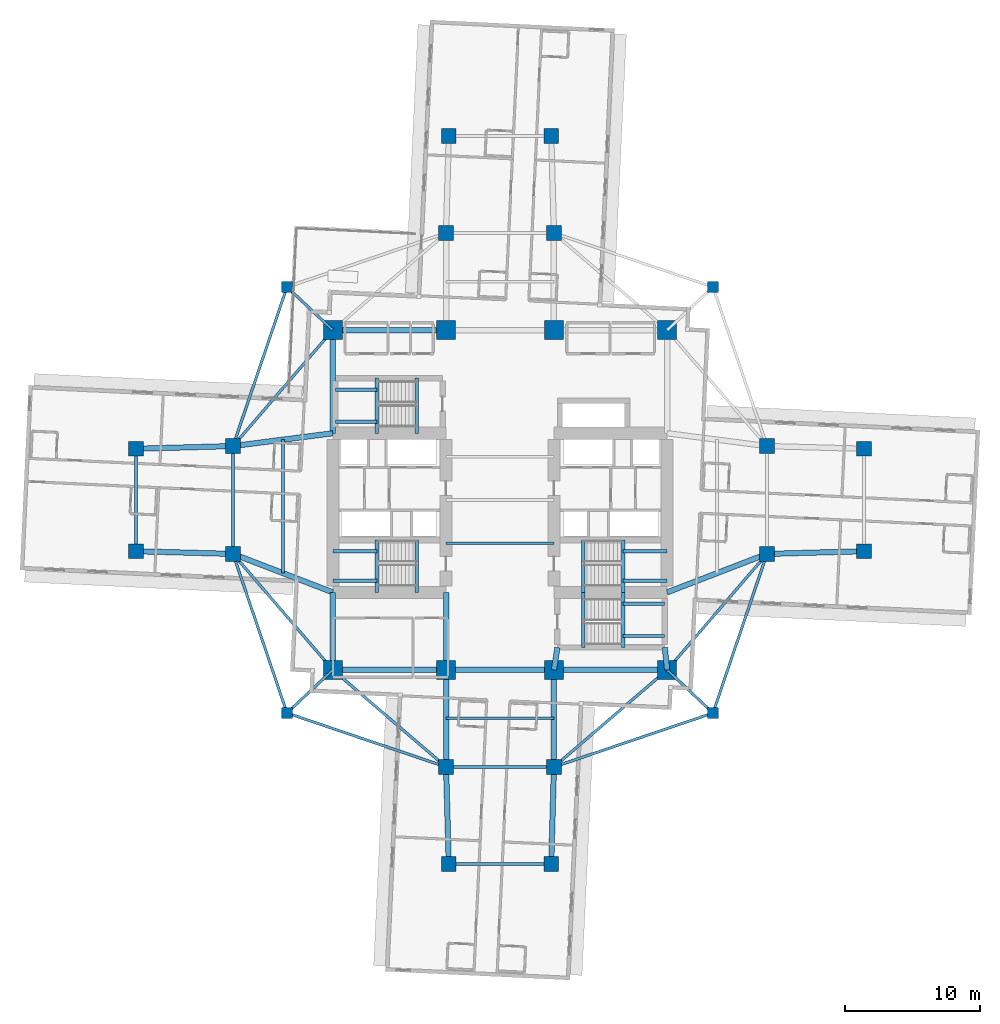
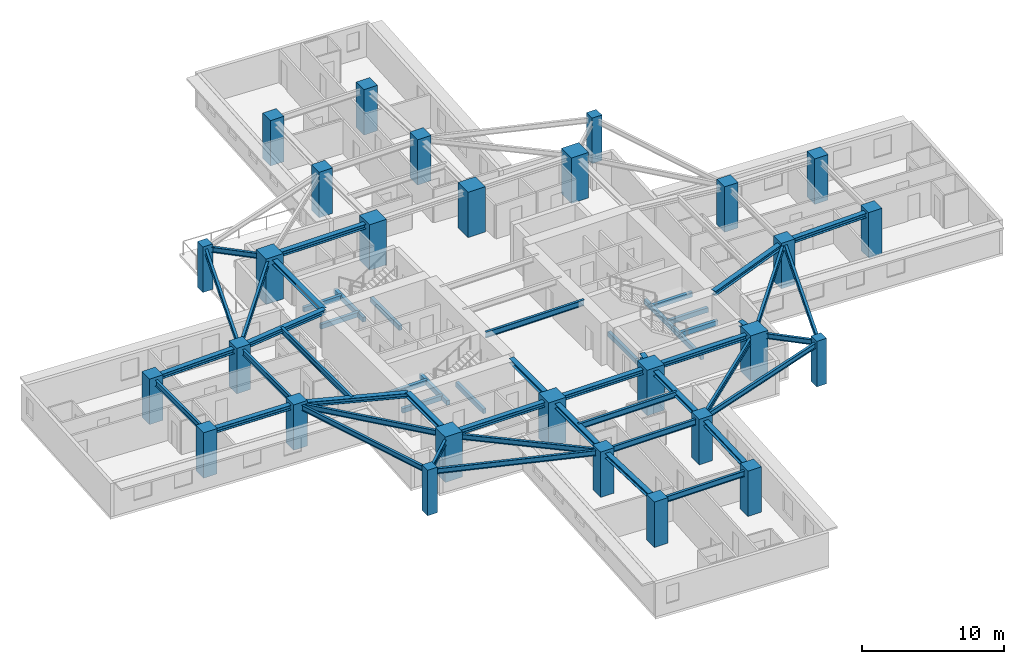
# One storey, part 1 of 13: 55 beams, 28 columns.
"""IFC4 building model written with IfcOpenShell, lengths in metres."""

from ifc_helpers import new_model, si_unit, direction, frame, origin, origin_2d, place, context, subcontext, project, spatial, rectangle, i_section, extrude, material, material_profile, profile_set, type_object, element, save


model = new_model("IFC4")

# Units and contexts
model_context = context("Model", 3, precision=1e-05, world=origin(), true_north=direction((0.0, 1.0)))
body_context = subcontext(model_context, "Body", "Model", "MODEL_VIEW")
ifc_project = project(units=[si_unit("LENGTHUNIT", "METRE"), si_unit("AREAUNIT", "SQUARE_METRE"), si_unit("VOLUMEUNIT", "CUBIC_METRE"), si_unit("PLANEANGLEUNIT", "RADIAN"), si_unit("MASSUNIT", "GRAM", prefix="KILO")], contexts=[model_context])

# Site, building, storey
site_placement = place(None, origin())
site = spatial("IfcSite", under=ifc_project, at=site_placement, CompositionType="ELEMENT")
building_placement = place(site_placement, origin())
building = spatial("IfcBuilding", under=site, at=building_placement, Name="Qingluan Cross Belvedere", CompositionType="ELEMENT")
storey_placement = place(building_placement, frame((0.0, 0.0, 91.199951171875)))
storey = spatial("IfcBuildingStorey", under=building, at=storey_placement, Name="L23", CompositionType="ELEMENT", Elevation=91.199951171875)

# Columns
ifc_material_1 = material(Name="Concrete C60", Category="concrete")
ifc_material_profile_1 = material_profile(ifc_material_1, rectangle(XDim=1.10009765625, YDim=1.10009765625, at=origin_2d()), Name="RC1100x1100")
ifc_profile_set_1 = profile_set([ifc_material_profile_1], Name="Concrete C60")
column_type_1 = type_object("IfcColumnType", Name="Column_RC1100x1100", PredefinedType="COLUMN", material=ifc_profile_set_1)
for number, where, z_axis, x_axis, name in (
    (1, (19.800048828125, -4.0, 0.0), (0.0, 0.0, 1.0), (1.0, 0.0, 0.0), "Arm column L23-EIA"),
    (2, (19.800048828125, 4.0, 0.0), (0.0, 0.0, 1.0), (1.0, 0.0, 0.0), "Arm column L23-EIB"),
    (3, (-19.800048828125, -4.0, 0.0), (0.0, 0.0, 1.0), (1.0, 0.0, 0.0), "Arm column L23-WIA"),
    (4, (-19.800048828125, 4.0, 0.0), (0.0, 0.0, 1.0), (1.0, 0.0, 0.0), "Arm column L23-WIB"),
    (5, (-4.0, -19.800048828125, 0.0), (0.0, 0.0, 1.0), (1.0, 0.0, 0.0), "Arm column L23-SIA"),
    (6, (4.0, -19.800048828125, 0.0), (0.0, 0.0, 1.0), (1.0, 0.0, 0.0), "Arm column L23-SIB"),
    (7, (-4.0, 19.800048828125, 0.0), (0.0, 0.0, 1.0), (1.0, 0.0, 0.0), "Arm column L23-NIA"),
    (8, (4.0, 19.800048828125, 0.0), (0.0, 0.0, 1.0), (1.0, 0.0, 0.0), "Arm column L23-NIB"),
    (9, (27.0, -3.800048828125, 0.0), (0.0, 0.0, 1.0), (1.0, 0.0, 0.0), "Arm column L23-EOA"),
    (10, (27.0, 3.800048828125, 0.0), (0.0, 0.0, 1.0), (1.0, 0.0, 0.0), "Arm column L23-EOB"),
    (11, (-27.0, -3.800048828125, 0.0), (0.0, 0.0, 1.0), (1.0, 0.0, 0.0), "Arm column L23-WOA"),
    (12, (-27.0, 3.800048828125, 0.0), (0.0, 0.0, 1.0), (1.0, 0.0, 0.0), "Arm column L23-WOB"),
    (13, (-3.800048828125, -27.0, 0.0), (0.0, 0.0, 1.0), (1.0, 0.0, 0.0), "Arm column L23-SOA"),
    (14, (3.800048828125, -27.0, 0.0), (0.0, 0.0, 1.0), (1.0, 0.0, 0.0), "Arm column L23-SOB"),
    (15, (-3.800048828125, 27.0, 0.0), (0.0, 0.0, 1.0), (1.0, 0.0, 0.0), "Arm column L23-NOA"),
    (16, (3.800048828125, 27.0, 0.0), (0.0, 0.0, 1.0), (1.0, 0.0, 0.0), "Arm column L23-NOB"),
):
    element("IfcColumn", number, at=place(storey_placement, frame(where, z_axis=z_axis, x_axis=x_axis)), inside=storey, type_object=column_type_1, Name=name, PredefinedType="COLUMN", context=body_context, shape_type="SweptSolid", body=[
        extrude(rectangle(XDim=1.10009765625, YDim=1.10009765625, at=origin_2d()), origin(), (0.0, 0.0, 1.0), 3.900146484375),
    ])
ifc_material_2 = material(Name="Concrete C70", Category="concrete")
ifc_material_profile_2 = material_profile(ifc_material_2, rectangle(XDim=1.39990234375, YDim=1.39990234375, at=origin_2d()), Name="RC1400x1400")
ifc_profile_set_2 = profile_set([ifc_material_profile_2], Name="Concrete C70")
column_type_2 = type_object("IfcColumnType", Name="Column_RC1400x1400", PredefinedType="COLUMN", material=ifc_profile_set_2)
for number, where, z_axis, x_axis, name in (
    (17, (-12.39990234375, -12.60009765625, 0.0), (0.0, 0.0, 1.0), (1.0, 0.0, 0.0), "Hub column L23-HC1"),
    (18, (12.39990234375, -12.60009765625, 0.0), (0.0, 0.0, 1.0), (1.0, 0.0, 0.0), "Hub column L23-HC2"),
    (19, (12.39990234375, 12.60009765625, 0.0), (0.0, 0.0, 1.0), (1.0, 0.0, 0.0), "Hub column L23-HC3"),
    (20, (-12.39990234375, 12.60009765625, 0.0), (0.0, 0.0, 1.0), (1.0, 0.0, 0.0), "Hub column L23-HC4"),
    (21, (-4.0, -12.60009765625, 0.0), (0.0, 0.0, 1.0), (1.0, 0.0, 0.0), "Hub column L23-HC5"),
    (22, (4.0, -12.60009765625, 0.0), (0.0, 0.0, 1.0), (1.0, 0.0, 0.0), "Hub column L23-HC6"),
    (23, (4.0, 12.60009765625, 0.0), (0.0, 0.0, 1.0), (1.0, 0.0, 0.0), "Hub column L23-HC7"),
    (24, (-4.0, 12.60009765625, 0.0), (0.0, 0.0, 1.0), (1.0, 0.0, 0.0), "Hub column L23-HC8"),
):
    element("IfcColumn", number, at=place(storey_placement, frame(where, z_axis=z_axis, x_axis=x_axis)), inside=storey, type_object=column_type_2, Name=name, PredefinedType="COLUMN", context=body_context, shape_type="SweptSolid", body=[
        extrude(rectangle(XDim=1.39990234375, YDim=1.39990234375, at=origin_2d()), origin(), (0.0, 0.0, 1.0), 3.900146484375),
    ])
ifc_material_3 = material(Name="Concrete C50", Category="concrete")
ifc_material_profile_3 = material_profile(ifc_material_3, rectangle(XDim=0.800048828125, YDim=0.800048828125, at=origin_2d()), Name="RC800x800")
ifc_profile_set_3 = profile_set([ifc_material_profile_3], Name="Concrete C50")
column_type_3 = type_object("IfcColumnType", Name="Column_RC800x800", PredefinedType="COLUMN", material=ifc_profile_set_3)
for number, where, z_axis, x_axis, name in (
    (25, (15.800048828125, 15.800048828125, 0.0), (0.0, 0.0, 1.0), (1.0, 0.0, 0.0), "Corner column L23-RNE"),
    (26, (-15.800048828125, 15.800048828125, 0.0), (0.0, 0.0, 1.0), (1.0, 0.0, 0.0), "Corner column L23-RNW"),
    (27, (-15.800048828125, -15.800048828125, 0.0), (0.0, 0.0, 1.0), (1.0, 0.0, 0.0), "Corner column L23-RSW"),
    (28, (15.800048828125, -15.800048828125, 0.0), (0.0, 0.0, 1.0), (1.0, 0.0, 0.0), "Corner column L23-RSE"),
):
    element("IfcColumn", number, at=place(storey_placement, frame(where, z_axis=z_axis, x_axis=x_axis)), inside=storey, type_object=column_type_3, Name=name, PredefinedType="COLUMN", context=body_context, shape_type="SweptSolid", body=[
        extrude(rectangle(XDim=0.800048828125, YDim=0.800048828125, at=origin_2d()), origin(), (0.0, 0.0, 1.0), 3.900146484375),
    ])

# Beams
ifc_material_4 = material(Name="Concrete C45", Category="concrete")
ifc_material_profile_4 = material_profile(ifc_material_4, rectangle(XDim=0.25, YDim=0.39990234375, at=origin_2d()), Name="RC250x400")
ifc_profile_set_4 = profile_set([ifc_material_profile_4], Name="Concrete C45")
beam_type_1 = type_object("IfcBeamType", Name="RC_Lintel_RC250x400", PredefinedType="LINTEL", material=ifc_profile_set_4)
for number, where, z_axis, x_axis, name in (
    (29, (-6.179931640625, -6.85009765625, -0.199951171875), (0.0, 1.0, 0.0), (-1.0, 0.0, 0.0), "Stair ST1 landing beam L23"),
    (30, (6.179931640625, -6.85009765625, -0.199951171875), (0.0, 1.0, 0.0), (-1.0, 0.0, 0.0), "Stair ST2 landing beam L23"),
):
    element("IfcBeam", number, at=place(storey_placement, frame(where, z_axis=z_axis, x_axis=x_axis)), inside=storey, type_object=beam_type_1, Name=name, PredefinedType="LINTEL", context=body_context, shape_type="SweptSolid", body=[
        extrude(rectangle(XDim=0.25, YDim=0.39990234375, at=origin_2d()), origin(), (0.0, 0.0, 1.0), 3.89013671875),
    ])
beam_1_placement = place(storey_placement, frame((-6.179931640625, 4.949951171875, -0.199951171875), z_axis=(0.0, 1.0, 0.0), x_axis=(-1.0, 0.0, 0.0)))
element("IfcBeam", 31, at=beam_1_placement, inside=storey, type_object=beam_type_1, Name="Stair ST3 landing beam L23", PredefinedType="LINTEL", context=body_context, shape_type="SweptSolid", body=[
    extrude(rectangle(XDim=0.25, YDim=0.39990234375, at=origin_2d()), origin(), (0.0, 0.0, 1.0), 4.090087890625),
])
beam_2_placement = place(storey_placement, frame((6.179931640625, -10.93994140625, -0.199951171875), z_axis=(0.0, 1.0, 0.0), x_axis=(-1.0, 0.0, 0.0)))
element("IfcBeam", 32, at=beam_2_placement, inside=storey, type_object=beam_type_1, Name="Stair ST4 landing beam L23", PredefinedType="LINTEL", context=body_context, shape_type="SweptSolid", body=[
    extrude(rectangle(XDim=0.25, YDim=0.39990234375, at=origin_2d()), origin(), (0.0, 0.0, 1.0), 4.08984375),
])
beam_3_placement = place(storey_placement, frame((-9.1298828125, -6.85009765625, 1.550048828125), z_axis=(0.0, 1.0, 0.0), x_axis=(-1.0, 0.0, 0.0)))
element("IfcBeam", 33, at=beam_3_placement, inside=storey, type_object=beam_type_1, Name="Stair ST1 beam A L23", PredefinedType="LINTEL", context=body_context, shape_type="SweptSolid", body=[
    extrude(rectangle(XDim=0.25, YDim=0.39990234375, at=origin_2d()), origin(), (0.0, 0.0, 1.0), 3.89013671875),
])
for number, where, z_axis, x_axis, name in (
    (34, (-12.39990234375, -6.0, 1.550048828125), (1.0, 0.0, 0.0), (0.0, 1.0, 0.0), "Stair ST1 beam B L23"),
    (35, (-12.39990234375, -3.81005859375, 1.550048828125), (1.0, 0.0, 0.0), (0.0, 1.0, 0.0), "Stair ST1 beam C L23"),
):
    element("IfcBeam", number, at=place(storey_placement, frame(where, z_axis=z_axis, x_axis=x_axis)), inside=storey, type_object=beam_type_1, Name=name, PredefinedType="LINTEL", context=body_context, shape_type="SweptSolid", body=[
        extrude(rectangle(XDim=0.25, YDim=0.39990234375, at=origin_2d()), origin(), (0.0, 0.0, 1.0), 3.27001953125),
    ])
beam_4_placement = place(storey_placement, frame((9.1298828125, -6.85009765625, 1.550048828125), z_axis=(0.0, 1.0, 0.0), x_axis=(-1.0, 0.0, 0.0)))
element("IfcBeam", 36, at=beam_4_placement, inside=storey, type_object=beam_type_1, Name="Stair ST2 beam A L23", PredefinedType="LINTEL", context=body_context, shape_type="SweptSolid", body=[
    extrude(rectangle(XDim=0.25, YDim=0.39990234375, at=origin_2d()), origin(), (0.0, 0.0, 1.0), 3.89013671875),
])
for number, where, z_axis, x_axis, name in (
    (37, (12.39990234375, -6.0, 1.550048828125), (-1.0, 0.0, 0.0), (0.0, -1.0, 0.0), "Stair ST2 beam B L23"),
    (38, (12.39990234375, -3.81005859375, 1.550048828125), (-1.0, 0.0, 0.0), (0.0, -1.0, 0.0), "Stair ST2 beam C L23"),
):
    element("IfcBeam", number, at=place(storey_placement, frame(where, z_axis=z_axis, x_axis=x_axis)), inside=storey, type_object=beam_type_1, Name=name, PredefinedType="LINTEL", context=body_context, shape_type="SweptSolid", body=[
        extrude(rectangle(XDim=0.25, YDim=0.39990234375, at=origin_2d()), origin(), (0.0, 0.0, 1.0), 3.27001953125),
    ])
beam_5_placement = place(storey_placement, frame((-9.1298828125, 4.949951171875, 1.550048828125), z_axis=(0.0, 1.0, 0.0), x_axis=(-1.0, 0.0, 0.0)))
element("IfcBeam", 39, at=beam_5_placement, inside=storey, type_object=beam_type_1, Name="Stair ST3 beam A L23", PredefinedType="LINTEL", context=body_context, shape_type="SweptSolid", body=[
    extrude(rectangle(XDim=0.25, YDim=0.39990234375, at=origin_2d()), origin(), (0.0, 0.0, 1.0), 4.090087890625),
])
for number, where, z_axis, x_axis, name in (
    (40, (-12.219970703125, 5.800048828125, 1.550048828125), (1.0, 0.0, 0.0), (0.0, 1.0, 0.0), "Stair ST3 beam B L23"),
    (41, (-12.219970703125, 8.18994140625, 1.550048828125), (1.0, 0.0, 0.0), (0.0, 1.0, 0.0), "Stair ST3 beam C L23"),
):
    element("IfcBeam", number, at=place(storey_placement, frame(where, z_axis=z_axis, x_axis=x_axis)), inside=storey, type_object=beam_type_1, Name=name, PredefinedType="LINTEL", context=body_context, shape_type="SweptSolid", body=[
        extrude(rectangle(XDim=0.25, YDim=0.39990234375, at=origin_2d()), origin(), (0.0, 0.0, 1.0), 3.090087890625),
    ])
beam_6_placement = place(storey_placement, frame((9.1298828125, -10.93994140625, 1.550048828125), z_axis=(0.0, 1.0, 0.0), x_axis=(-1.0, 0.0, 0.0)))
element("IfcBeam", 42, at=beam_6_placement, inside=storey, type_object=beam_type_1, Name="Stair ST4 beam A L23", PredefinedType="LINTEL", context=body_context, shape_type="SweptSolid", body=[
    extrude(rectangle(XDim=0.25, YDim=0.39990234375, at=origin_2d()), origin(), (0.0, 0.0, 1.0), 4.08984375),
])
for number, where, z_axis, x_axis, name in (
    (43, (12.219970703125, -10.090087890625, 1.550048828125), (-1.0, 0.0, 0.0), (0.0, -1.0, 0.0), "Stair ST4 beam B L23"),
    (44, (12.219970703125, -7.699951171875, 1.550048828125), (-1.0, 0.0, 0.0), (0.0, -1.0, 0.0), "Stair ST4 beam C L23"),
):
    element("IfcBeam", number, at=place(storey_placement, frame(where, z_axis=z_axis, x_axis=x_axis)), inside=storey, type_object=beam_type_1, Name=name, PredefinedType="LINTEL", context=body_context, shape_type="SweptSolid", body=[
        extrude(rectangle(XDim=0.25, YDim=0.39990234375, at=origin_2d()), origin(), (0.0, 0.0, 1.0), 3.090087890625),
    ])
ifc_material_5 = material(Name="Steel Q420GJB", Category="steel")
ifc_material_profile_5 = material_profile(ifc_material_5, i_section(OverallWidth=0.199951171875, OverallDepth=0.449951171875, WebThickness=0.009033203125, FlangeThickness=0.013916015625, FilletRadius=0.01611328125, at=origin_2d()), Name="HN450x200x9x14")
ifc_profile_set_5 = profile_set([ifc_material_profile_5], Name="Steel Q420GJB")
beam_type_2 = type_object("IfcBeamType", Name="Steel_Beam_HN450x200x9x14", PredefinedType="JOIST", material=ifc_profile_set_5)
beam_7_placement = place(storey_placement, frame((-12.39990234375, 12.60009765625, 3.425048828125), z_axis=(-0.728219948308, 0.685343495546, 0.0), x_axis=(-0.685343495546, -0.728219948308, 0.0)))
element("IfcBeam", 45, at=beam_7_placement, inside=storey, type_object=beam_type_2, Name="Corner beam 1 L23-RNW", PredefinedType="JOIST", context=body_context, shape_type="SweptSolid", body=[
    extrude(i_section(OverallWidth=0.199951171875, OverallDepth=0.449951171875, WebThickness=0.009033203125, FlangeThickness=0.013916015625, FilletRadius=0.01611328125, at=origin_2d()), origin(), (0.0, 0.0, 1.0), 4.669189453125),
])
beam_8_placement = place(storey_placement, frame((-15.800048828125, 15.800048828125, 3.425048828125), z_axis=(-0.321038089628, -0.947066283324, 0.0), x_axis=(0.947066283324, -0.321038089628, 0.0)))
element("IfcBeam", 46, at=beam_8_placement, inside=storey, type_object=beam_type_2, Name="Corner beam 3 L23-RNW", PredefinedType="JOIST", context=body_context, shape_type="SweptSolid", body=[
    extrude(i_section(OverallWidth=0.199951171875, OverallDepth=0.449951171875, WebThickness=0.009033203125, FlangeThickness=0.013916015625, FilletRadius=0.01611328125, at=origin_2d()), origin(), (0.0, 0.0, 1.0), 12.45947265625),
])
beam_9_placement = place(storey_placement, frame((-12.39990234375, 12.60009765625, 3.425048828125), z_axis=(-0.652245077546, -0.75800815221, 0.0), x_axis=(0.75800815221, -0.652245077546, 0.0)))
element("IfcBeam", 47, at=beam_9_placement, inside=storey, type_object=beam_type_2, Name="Corner beam 4 L23-RNW", PredefinedType="JOIST", context=body_context, shape_type="SweptSolid", body=[
    extrude(i_section(OverallWidth=0.199951171875, OverallDepth=0.449951171875, WebThickness=0.009033203125, FlangeThickness=0.013916015625, FilletRadius=0.01611328125, at=origin_2d()), origin(), (0.0, 0.0, 1.0), 11.345703125),
])
beam_10_placement = place(storey_placement, frame((-12.39990234375, -12.60009765625, 3.425048828125), z_axis=(-0.728219948308, -0.685343495546, 0.0), x_axis=(0.685343495546, -0.728219948308, 0.0)))
element("IfcBeam", 48, at=beam_10_placement, inside=storey, type_object=beam_type_2, Name="Corner beam 1 L23-RSW", PredefinedType="JOIST", context=body_context, shape_type="SweptSolid", body=[
    extrude(i_section(OverallWidth=0.199951171875, OverallDepth=0.449951171875, WebThickness=0.009033203125, FlangeThickness=0.013916015625, FilletRadius=0.01611328125, at=origin_2d()), origin(), (0.0, 0.0, 1.0), 4.669189453125),
])
for number, where, z_axis, x_axis, name in (
    (49, (-15.800048828125, -15.800048828125, 3.425048828125), (0.947066283324, -0.321038089628, 0.0), (0.321038089628, 0.947066283324, 0.0), "Corner beam 2 L23-RSW"),
    (50, (-15.800048828125, -15.800048828125, 3.425048828125), (-0.321038089628, 0.947066283324, 0.0), (-0.947066283324, -0.321038089628, 0.0), "Corner beam 3 L23-RSW"),
):
    element("IfcBeam", number, at=place(storey_placement, frame(where, z_axis=z_axis, x_axis=x_axis)), inside=storey, type_object=beam_type_2, Name=name, PredefinedType="JOIST", context=body_context, shape_type="SweptSolid", body=[
        extrude(i_section(OverallWidth=0.199951171875, OverallDepth=0.449951171875, WebThickness=0.009033203125, FlangeThickness=0.013916015625, FilletRadius=0.01611328125, at=origin_2d()), origin(), (0.0, 0.0, 1.0), 12.45947265625),
    ])
beam_11_placement = place(storey_placement, frame((-12.39990234375, -12.60009765625, 3.425048828125), z_axis=(-0.652245077546, 0.75800815221, 0.0), x_axis=(-0.75800815221, -0.652245077546, 0.0)))
element("IfcBeam", 51, at=beam_11_placement, inside=storey, type_object=beam_type_2, Name="Corner beam 4 L23-RSW", PredefinedType="JOIST", context=body_context, shape_type="SweptSolid", body=[
    extrude(i_section(OverallWidth=0.199951171875, OverallDepth=0.449951171875, WebThickness=0.009033203125, FlangeThickness=0.013916015625, FilletRadius=0.01611328125, at=origin_2d()), origin(), (0.0, 0.0, 1.0), 11.345703125),
])
beam_12_placement = place(storey_placement, frame((-12.39990234375, -12.60009765625, 3.425048828125), z_axis=(0.759255044656, -0.650793190779, 0.0), x_axis=(0.650793190779, 0.759255044656, 0.0)))
element("IfcBeam", 52, at=beam_12_placement, inside=storey, type_object=beam_type_2, Name="Corner beam 5 L23-RSW", PredefinedType="JOIST", context=body_context, shape_type="SweptSolid", body=[
    extrude(i_section(OverallWidth=0.199951171875, OverallDepth=0.449951171875, WebThickness=0.009033203125, FlangeThickness=0.013916015625, FilletRadius=0.01611328125, at=origin_2d()), origin(), (0.0, 0.0, 1.0), 11.063232421875),
])
beam_13_placement = place(storey_placement, frame((12.39990234375, -12.60009765625, 3.425048828125), z_axis=(0.728219948308, -0.685343495546, 0.0), x_axis=(0.685343495546, 0.728219948308, 0.0)))
element("IfcBeam", 53, at=beam_13_placement, inside=storey, type_object=beam_type_2, Name="Corner beam 1 L23-RSE", PredefinedType="JOIST", context=body_context, shape_type="SweptSolid", body=[
    extrude(i_section(OverallWidth=0.199951171875, OverallDepth=0.449951171875, WebThickness=0.009033203125, FlangeThickness=0.013916015625, FilletRadius=0.01611328125, at=origin_2d()), origin(), (0.0, 0.0, 1.0), 4.669189453125),
])
for number, where, z_axis, x_axis, name in (
    (54, (15.800048828125, -15.800048828125, 3.425048828125), (-0.947066283324, -0.321038089628, 0.0), (0.321038089628, -0.947066283324, 0.0), "Corner beam 2 L23-RSE"),
    (55, (15.800048828125, -15.800048828125, 3.425048828125), (0.321038089628, 0.947066283324, 0.0), (-0.947066283324, 0.321038089628, 0.0), "Corner beam 3 L23-RSE"),
):
    element("IfcBeam", number, at=place(storey_placement, frame(where, z_axis=z_axis, x_axis=x_axis)), inside=storey, type_object=beam_type_2, Name=name, PredefinedType="JOIST", context=body_context, shape_type="SweptSolid", body=[
        extrude(i_section(OverallWidth=0.199951171875, OverallDepth=0.449951171875, WebThickness=0.009033203125, FlangeThickness=0.013916015625, FilletRadius=0.01611328125, at=origin_2d()), origin(), (0.0, 0.0, 1.0), 12.45947265625),
    ])
beam_14_placement = place(storey_placement, frame((12.39990234375, -12.60009765625, 3.425048828125), z_axis=(0.652245077546, 0.75800815221, 0.0), x_axis=(-0.75800815221, 0.652245077546, 0.0)))
element("IfcBeam", 56, at=beam_14_placement, inside=storey, type_object=beam_type_2, Name="Corner beam 4 L23-RSE", PredefinedType="JOIST", context=body_context, shape_type="SweptSolid", body=[
    extrude(i_section(OverallWidth=0.199951171875, OverallDepth=0.449951171875, WebThickness=0.009033203125, FlangeThickness=0.013916015625, FilletRadius=0.01611328125, at=origin_2d()), origin(), (0.0, 0.0, 1.0), 11.345703125),
])
beam_15_placement = place(storey_placement, frame((12.39990234375, -12.60009765625, 3.425048828125), z_axis=(-0.759255044656, -0.650793190779, 0.0), x_axis=(0.650793190779, -0.759255044656, 0.0)))
element("IfcBeam", 57, at=beam_15_placement, inside=storey, type_object=beam_type_2, Name="Corner beam 5 L23-RSE", PredefinedType="JOIST", context=body_context, shape_type="SweptSolid", body=[
    extrude(i_section(OverallWidth=0.199951171875, OverallDepth=0.449951171875, WebThickness=0.009033203125, FlangeThickness=0.013916015625, FilletRadius=0.01611328125, at=origin_2d()), origin(), (0.0, 0.0, 1.0), 11.063232421875),
])
ifc_material_6 = material(Name="Steel Q420GJB", Category="steel")
ifc_material_profile_6 = material_profile(ifc_material_6, i_section(OverallWidth=0.199951171875, OverallDepth=0.5, WebThickness=0.010009765625, FlangeThickness=0.01611328125, FilletRadius=0.01611328125, at=origin_2d()), Name="HN500x200x10x16")
ifc_profile_set_6 = profile_set([ifc_material_profile_6], Name="Steel Q420GJB")
beam_type_3 = type_object("IfcBeamType", Name="Steel_Beam_HN500x200x10x16", PredefinedType="JOIST", material=ifc_profile_set_6)
for number, where, z_axis, x_axis, name in (
    (58, (-4.0, -3.199951171875, 3.400146484375), (1.0, 0.0, 0.0), (0.0, 1.0, 0.0), "Hall beam L23-CH1"),
    (59, (-19.800048828125, -4.0, 3.400146484375), (0.0, 1.0, 0.0), (-1.0, 0.0, 0.0), "Arm W tie L23"),
):
    element("IfcBeam", number, at=place(storey_placement, frame(where, z_axis=z_axis, x_axis=x_axis)), inside=storey, type_object=beam_type_3, Name=name, PredefinedType="JOIST", context=body_context, shape_type="SweptSolid", body=[
        extrude(i_section(OverallWidth=0.199951171875, OverallDepth=0.5, WebThickness=0.010009765625, FlangeThickness=0.01611328125, FilletRadius=0.01611328125, at=origin_2d()), origin(), (0.0, 0.0, 1.0), 8.0),
    ])
beam_16_placement = place(storey_placement, frame((-16.10009765625, -5.425048828125, 3.400146484375), z_axis=(0.0, 1.0, 0.0), x_axis=(-1.0, 0.0, 0.0)))
element("IfcBeam", 60, at=beam_16_placement, inside=storey, type_object=beam_type_3, Name="Arm W beam L23", PredefinedType="JOIST", context=body_context, shape_type="SweptSolid", body=[
    extrude(i_section(OverallWidth=0.199951171875, OverallDepth=0.5, WebThickness=0.010009765625, FlangeThickness=0.01611328125, FilletRadius=0.01611328125, at=origin_2d()), origin(), (0.0, 0.0, 1.0), 9.900146484375),
])
beam_17_placement = place(storey_placement, frame((-27.0, -3.800048828125, 3.400146484375), z_axis=(0.0, 1.0, 0.0), x_axis=(-1.0, 0.0, 0.0)))
element("IfcBeam", 61, at=beam_17_placement, inside=storey, type_object=beam_type_3, Name="Arm W tip transverse beam L23", PredefinedType="JOIST", context=body_context, shape_type="SweptSolid", body=[
    extrude(i_section(OverallWidth=0.199951171875, OverallDepth=0.5, WebThickness=0.010009765625, FlangeThickness=0.01611328125, FilletRadius=0.01611328125, at=origin_2d()), origin(), (0.0, 0.0, 1.0), 7.60009765625),
])
for number, where, z_axis, x_axis, name in (
    (62, (-4.0, -19.800048828125, 3.400146484375), (1.0, 0.0, 0.0), (0.0, 1.0, 0.0), "Arm S tie L23"),
    (63, (-4.0, -16.199951171875, 3.400146484375), (1.0, 0.0, 0.0), (0.0, 1.0, 0.0), "Arm S beam L23"),
):
    element("IfcBeam", number, at=place(storey_placement, frame(where, z_axis=z_axis, x_axis=x_axis)), inside=storey, type_object=beam_type_3, Name=name, PredefinedType="JOIST", context=body_context, shape_type="SweptSolid", body=[
        extrude(i_section(OverallWidth=0.199951171875, OverallDepth=0.5, WebThickness=0.010009765625, FlangeThickness=0.01611328125, FilletRadius=0.01611328125, at=origin_2d()), origin(), (0.0, 0.0, 1.0), 8.0),
    ])
beam_18_placement = place(storey_placement, frame((-3.800048828125, -27.0, 3.400146484375), z_axis=(1.0, 0.0, 0.0), x_axis=(0.0, 1.0, 0.0)))
element("IfcBeam", 64, at=beam_18_placement, inside=storey, type_object=beam_type_3, Name="Arm S tip transverse beam L23", PredefinedType="JOIST", context=body_context, shape_type="SweptSolid", body=[
    extrude(i_section(OverallWidth=0.199951171875, OverallDepth=0.5, WebThickness=0.010009765625, FlangeThickness=0.01611328125, FilletRadius=0.01611328125, at=origin_2d()), origin(), (0.0, 0.0, 1.0), 7.60009765625),
])
ifc_material_7 = material(Name="Steel Q420GJB", Category="steel")
ifc_material_profile_7 = material_profile(ifc_material_7, i_section(OverallWidth=0.39990234375, OverallDepth=0.39990234375, WebThickness=0.012939453125, FlangeThickness=0.02099609375, FilletRadius=0.02197265625, at=origin_2d()), Name="HW400x400x13x21")
ifc_profile_set_7 = profile_set([ifc_material_profile_7], Name="Steel Q420GJB")
beam_type_4 = type_object("IfcBeamType", Name="Steel_Girder_HW400x400x13x21", PredefinedType="USERDEFINED", material=ifc_profile_set_7)
beam_19_placement = place(storey_placement, frame((-12.39990234375, -12.60009765625, 3.449951171875), z_axis=(1.0, 0.0, 0.0), x_axis=(0.0, 1.0, 0.0)))
element("IfcBeam", 65, at=beam_19_placement, inside=storey, type_object=beam_type_4, Name="Hub girder L23-HG-S1", ObjectType="GIRDER", PredefinedType="USERDEFINED", context=body_context, shape_type="SweptSolid", body=[
    extrude(i_section(OverallWidth=0.39990234375, OverallDepth=0.39990234375, WebThickness=0.012939453125, FlangeThickness=0.02099609375, FilletRadius=0.02197265625, at=origin_2d()), origin(), (0.0, 0.0, 1.0), 8.39990234375),
])
beam_20_placement = place(storey_placement, frame((-4.0, -12.60009765625, 3.449951171875), z_axis=(1.0, 0.0, 0.0), x_axis=(0.0, 1.0, 0.0)))
element("IfcBeam", 66, at=beam_20_placement, inside=storey, type_object=beam_type_4, Name="Hub girder L23-HG-S2", ObjectType="GIRDER", PredefinedType="USERDEFINED", context=body_context, shape_type="SweptSolid", body=[
    extrude(i_section(OverallWidth=0.39990234375, OverallDepth=0.39990234375, WebThickness=0.012939453125, FlangeThickness=0.02099609375, FilletRadius=0.02197265625, at=origin_2d()), origin(), (0.0, 0.0, 1.0), 8.0),
])
for number, where, z_axis, x_axis, name in (
    (67, (4.0, -12.60009765625, 3.449951171875), (1.0, 0.0, 0.0), (0.0, 1.0, 0.0), "Hub girder L23-HG-S3"),
    (68, (-12.39990234375, 12.60009765625, 3.449951171875), (1.0, 0.0, 0.0), (0.0, 1.0, 0.0), "Hub girder L23-HG-N1"),
):
    element("IfcBeam", number, at=place(storey_placement, frame(where, z_axis=z_axis, x_axis=x_axis)), inside=storey, type_object=beam_type_4, Name=name, ObjectType="GIRDER", PredefinedType="USERDEFINED", context=body_context, shape_type="SweptSolid", body=[
        extrude(i_section(OverallWidth=0.39990234375, OverallDepth=0.39990234375, WebThickness=0.012939453125, FlangeThickness=0.02099609375, FilletRadius=0.02197265625, at=origin_2d()), origin(), (0.0, 0.0, 1.0), 8.39990234375),
    ])
beam_21_placement = place(storey_placement, frame((-12.39990234375, -12.60009765625, 3.449951171875), z_axis=(0.0, 1.0, 0.0), x_axis=(-1.0, 0.0, 0.0)))
element("IfcBeam", 69, at=beam_21_placement, inside=storey, type_object=beam_type_4, Name="Hub girder L23-HG-W1", ObjectType="GIRDER", PredefinedType="USERDEFINED", context=body_context, shape_type="SweptSolid", body=[
    extrude(i_section(OverallWidth=0.39990234375, OverallDepth=0.39990234375, WebThickness=0.012939453125, FlangeThickness=0.02099609375, FilletRadius=0.02197265625, at=origin_2d()), origin(), (0.0, 0.0, 1.0), 5.75),
])
beam_22_placement = place(storey_placement, frame((-12.39990234375, 4.949951171875, 3.449951171875), z_axis=(0.0, 1.0, 0.0), x_axis=(-1.0, 0.0, 0.0)))
element("IfcBeam", 70, at=beam_22_placement, inside=storey, type_object=beam_type_4, Name="Hub girder L23-HG-W2", ObjectType="GIRDER", PredefinedType="USERDEFINED", context=body_context, shape_type="SweptSolid", body=[
    extrude(i_section(OverallWidth=0.39990234375, OverallDepth=0.39990234375, WebThickness=0.012939453125, FlangeThickness=0.02099609375, FilletRadius=0.02197265625, at=origin_2d()), origin(), (0.0, 0.0, 1.0), 7.650146484375),
])
beam_23_placement = place(storey_placement, frame((12.39990234375, -12.60009765625, 3.449951171875), z_axis=(-0.107751337451, 0.994177876075, 0.0), x_axis=(-0.994177876075, -0.107751337451, 0.0)))
element("IfcBeam", 71, at=beam_23_placement, inside=storey, type_object=beam_type_4, Name="Hub girder L23-HG-E1", ObjectType="GIRDER", PredefinedType="USERDEFINED", context=body_context, shape_type="SweptSolid", body=[
    extrude(i_section(OverallWidth=0.39990234375, OverallDepth=0.39990234375, WebThickness=0.012939453125, FlangeThickness=0.02099609375, FilletRadius=0.02197265625, at=origin_2d()), origin(), (0.0, 0.0, 1.0), 1.669921875),
])
beam_24_placement = place(storey_placement, frame((-4.0, -12.60009765625, 3.449951171875), z_axis=(0.0, 1.0, 0.0), x_axis=(-1.0, 0.0, 0.0)))
element("IfcBeam", 72, at=beam_24_placement, inside=storey, type_object=beam_type_4, Name="Hub girder L23-HG-CW", ObjectType="GIRDER", PredefinedType="USERDEFINED", context=body_context, shape_type="SweptSolid", body=[
    extrude(i_section(OverallWidth=0.39990234375, OverallDepth=0.39990234375, WebThickness=0.012939453125, FlangeThickness=0.02099609375, FilletRadius=0.02197265625, at=origin_2d()), origin(), (0.0, 0.0, 1.0), 5.75),
])
beam_25_placement = place(storey_placement, frame((4.0, -12.60009765625, 3.449951171875), z_axis=(0.154731433337, 0.987956569662, 0.0), x_axis=(-0.987956569662, 0.154731433337, 0.0)))
element("IfcBeam", 73, at=beam_25_placement, inside=storey, type_object=beam_type_4, Name="Hub girder L23-HG-CE", ObjectType="GIRDER", PredefinedType="USERDEFINED", context=body_context, shape_type="SweptSolid", body=[
    extrude(i_section(OverallWidth=0.39990234375, OverallDepth=0.39990234375, WebThickness=0.012939453125, FlangeThickness=0.02099609375, FilletRadius=0.02197265625, at=origin_2d()), origin(), (0.0, 0.0, 1.0), 1.680419921875),
])
beam_26_placement = place(storey_placement, frame((12.39990234375, -6.85009765625, 3.449951171875), z_axis=(0.933181258889, 0.359406090735, 0.0), x_axis=(-0.359406090735, 0.933181258889, 0.0)))
element("IfcBeam", 74, at=beam_26_placement, inside=storey, type_object=beam_type_4, Name="Arm E radial girder A L23", ObjectType="GIRDER", PredefinedType="USERDEFINED", context=body_context, shape_type="SweptSolid", body=[
    extrude(i_section(OverallWidth=0.39990234375, OverallDepth=0.39990234375, WebThickness=0.012939453125, FlangeThickness=0.02099609375, FilletRadius=0.02197265625, at=origin_2d()), origin(), (0.0, 0.0, 1.0), 7.929931640625),
])
beam_27_placement = place(storey_placement, frame((19.800048828125, -4.0, 3.449951171875), z_axis=(0.999614603568, 0.027760481514, 0.0), x_axis=(-0.027760481514, 0.999614603568, 0.0)))
element("IfcBeam", 75, at=beam_27_placement, inside=storey, type_object=beam_type_4, Name="Arm E outer radial girder A L23", ObjectType="GIRDER", PredefinedType="USERDEFINED", context=body_context, shape_type="SweptSolid", body=[
    extrude(i_section(OverallWidth=0.39990234375, OverallDepth=0.39990234375, WebThickness=0.012939453125, FlangeThickness=0.02099609375, FilletRadius=0.02197265625, at=origin_2d()), origin(), (0.0, 0.0, 1.0), 7.20263671875),
])
beam_28_placement = place(storey_placement, frame((-12.39990234375, -6.85009765625, 3.449951171875), z_axis=(-0.933181258889, 0.359406090735, 0.0), x_axis=(-0.359406090735, -0.933181258889, 0.0)))
element("IfcBeam", 76, at=beam_28_placement, inside=storey, type_object=beam_type_4, Name="Arm W radial girder A L23", ObjectType="GIRDER", PredefinedType="USERDEFINED", context=body_context, shape_type="SweptSolid", body=[
    extrude(i_section(OverallWidth=0.39990234375, OverallDepth=0.39990234375, WebThickness=0.012939453125, FlangeThickness=0.02099609375, FilletRadius=0.02197265625, at=origin_2d()), origin(), (0.0, 0.0, 1.0), 7.929931640625),
])
beam_29_placement = place(storey_placement, frame((-12.39990234375, 4.949951171875, 3.449951171875), z_axis=(-0.991861120628, -0.12732445714, 0.0), x_axis=(0.12732445714, -0.991861120628, 0.0)))
element("IfcBeam", 77, at=beam_29_placement, inside=storey, type_object=beam_type_4, Name="Arm W radial girder B L23", ObjectType="GIRDER", PredefinedType="USERDEFINED", context=body_context, shape_type="SweptSolid", body=[
    extrude(i_section(OverallWidth=0.39990234375, OverallDepth=0.39990234375, WebThickness=0.012939453125, FlangeThickness=0.02099609375, FilletRadius=0.02197265625, at=origin_2d()), origin(), (0.0, 0.0, 1.0), 7.4609375),
])
for number, where, z_axis, x_axis, name in (
    (78, (-19.800048828125, -4.0, 3.449951171875), (-0.999614603568, 0.027760481514, 0.0), (-0.027760481514, -0.999614603568, 0.0), "Arm W outer radial girder A L23"),
    (79, (-19.800048828125, 4.0, 3.449951171875), (-0.999614603568, -0.027760481514, 0.0), (0.027760481514, -0.999614603568, 0.0), "Arm W outer radial girder B L23"),
):
    element("IfcBeam", number, at=place(storey_placement, frame(where, z_axis=z_axis, x_axis=x_axis)), inside=storey, type_object=beam_type_4, Name=name, ObjectType="GIRDER", PredefinedType="USERDEFINED", context=body_context, shape_type="SweptSolid", body=[
        extrude(i_section(OverallWidth=0.39990234375, OverallDepth=0.39990234375, WebThickness=0.012939453125, FlangeThickness=0.02099609375, FilletRadius=0.02197265625, at=origin_2d()), origin(), (0.0, 0.0, 1.0), 7.20263671875),
    ])
for number, where, z_axis, x_axis, name in (
    (80, (-4.0, -12.60009765625, 3.449951171875), (0.0, -1.0, 0.0), (1.0, 0.0, 0.0), "Arm S radial girder A L23"),
    (81, (4.0, -12.60009765625, 3.449951171875), (0.0, -1.0, 0.0), (1.0, 0.0, 0.0), "Arm S radial girder B L23"),
):
    element("IfcBeam", number, at=place(storey_placement, frame(where, z_axis=z_axis, x_axis=x_axis)), inside=storey, type_object=beam_type_4, Name=name, ObjectType="GIRDER", PredefinedType="USERDEFINED", context=body_context, shape_type="SweptSolid", body=[
        extrude(i_section(OverallWidth=0.39990234375, OverallDepth=0.39990234375, WebThickness=0.012939453125, FlangeThickness=0.02099609375, FilletRadius=0.02197265625, at=origin_2d()), origin(), (0.0, 0.0, 1.0), 7.199951171875),
    ])
for number, where, z_axis, x_axis, name in (
    (82, (-4.0, -19.800048828125, 3.449951171875), (0.027760481514, -0.999614603568, 0.0), (0.999614603568, 0.027760481514, 0.0), "Arm S outer radial girder A L23"),
    (83, (4.0, -19.800048828125, 3.449951171875), (-0.027760481514, -0.999614603568, 0.0), (0.999614603568, -0.027760481514, 0.0), "Arm S outer radial girder B L23"),
):
    element("IfcBeam", number, at=place(storey_placement, frame(where, z_axis=z_axis, x_axis=x_axis)), inside=storey, type_object=beam_type_4, Name=name, ObjectType="GIRDER", PredefinedType="USERDEFINED", context=body_context, shape_type="SweptSolid", body=[
        extrude(i_section(OverallWidth=0.39990234375, OverallDepth=0.39990234375, WebThickness=0.012939453125, FlangeThickness=0.02099609375, FilletRadius=0.02197265625, at=origin_2d()), origin(), (0.0, 0.0, 1.0), 7.20263671875),
    ])

save(model, "model.ifc")
